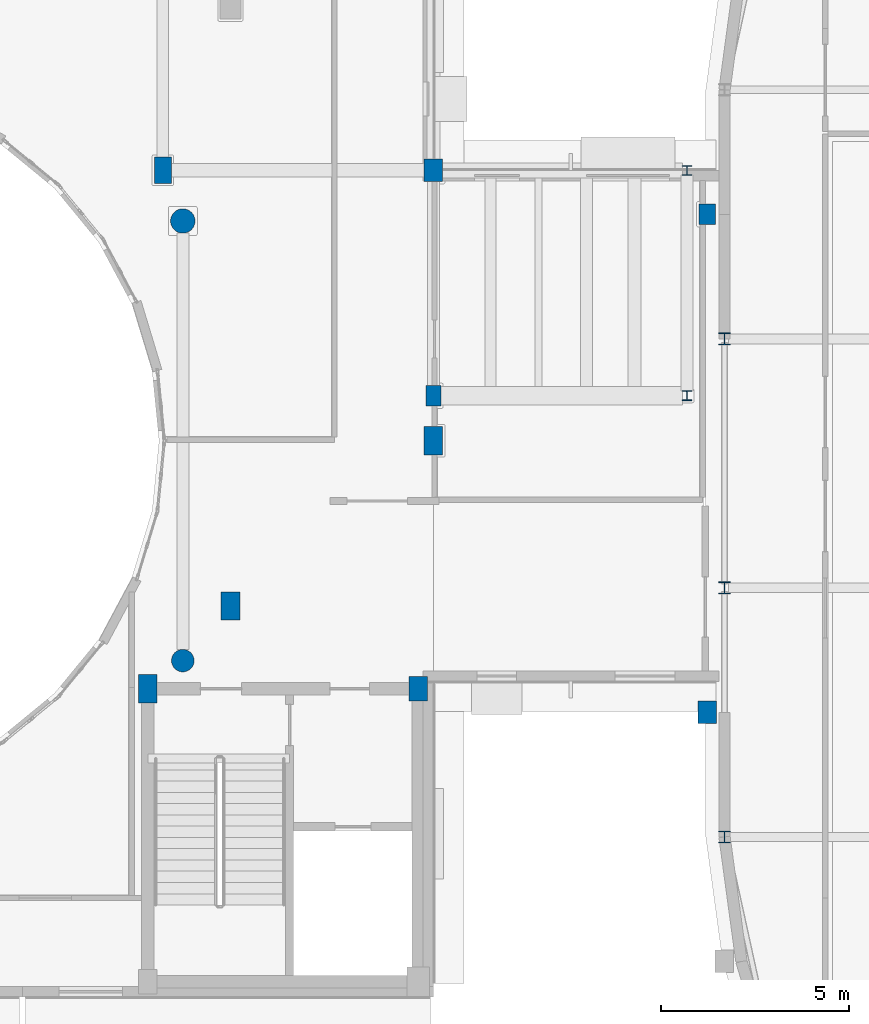
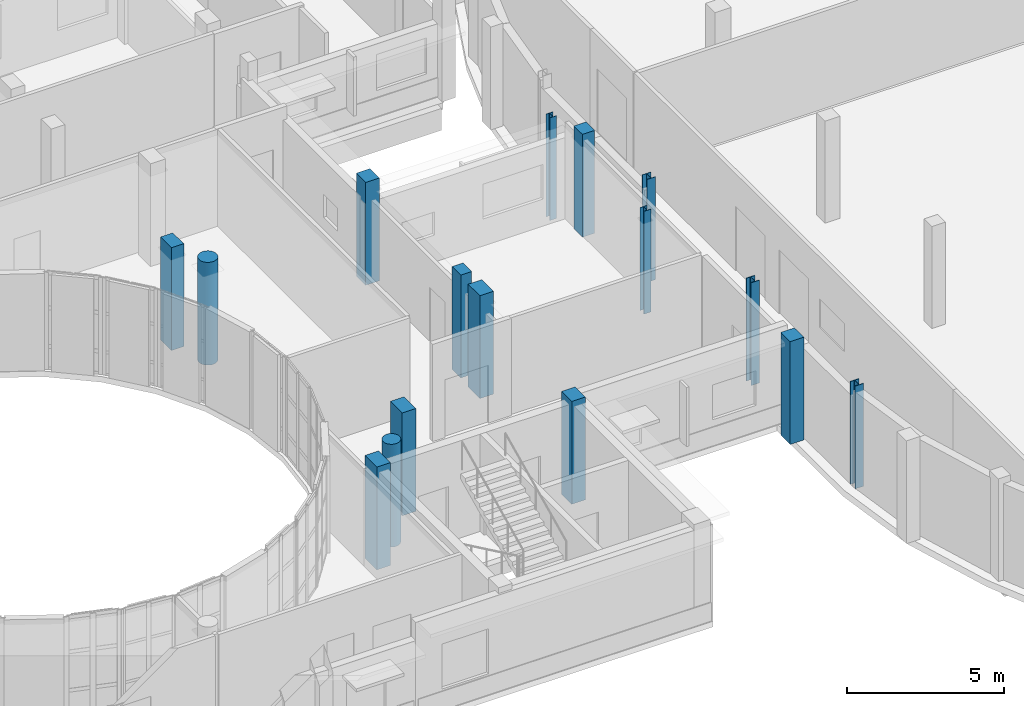
# One storey, part 8 of 105: 16 columns.
"""IFC4 building model written with IfcOpenShell, lengths in metres."""

from ifc_helpers import new_model, si_unit, direction, frame, origin, origin_2d, place, context, subcontext, project, spatial, rectangle, circle, i_section, extrude, material, material_profile, profile_set, type_object, element, save


model = new_model("IFC4")

# Units and contexts
model_context = context("Model", 3, precision=1e-05, world=origin(), true_north=direction((0.0, 1.0)))
body_context = subcontext(model_context, "Body", "Model", "MODEL_VIEW")
ifc_project = project(units=[si_unit("LENGTHUNIT", "METRE"), si_unit("AREAUNIT", "SQUARE_METRE"), si_unit("VOLUMEUNIT", "CUBIC_METRE"), si_unit("PLANEANGLEUNIT", "RADIAN"), si_unit("MASSUNIT", "GRAM", prefix="KILO")], contexts=[model_context])

# Site, building, storey
site_placement = place(None, origin())
site = spatial("IfcSite", under=ifc_project, at=site_placement, CompositionType="ELEMENT")
building_placement = place(site_placement, origin())
building = spatial("IfcBuilding", under=site, at=building_placement, Name="Kelanivale Promenade Academy", CompositionType="ELEMENT")
storey_placement = place(building_placement, frame((0.0, 0.0, 4.199951171875)))
storey = spatial("IfcBuildingStorey", under=building, at=storey_placement, Name="L01", CompositionType="ELEMENT", Elevation=4.199951171875)

# Columns
ifc_material_1 = material(Name="Concrete C40/50", Category="concrete")
ifc_material_profile_1 = material_profile(ifc_material_1, rectangle(XDim=0.39990234375, YDim=0.550048828125, at=origin_2d()), Name="RC-COL 400x550")
ifc_profile_set_1 = profile_set([ifc_material_profile_1], Name="Concrete C40/50")
column_type_1 = type_object("IfcColumnType", Name="C-07 RC-COL 400x550", PredefinedType="COLUMN", material=ifc_profile_set_1)
column_1_placement = place(storey_placement, frame((115.60009765625, 58.0, 0.0), z_axis=(0.0, 0.0, 1.0), x_axis=(1.0, 0.0, 0.0)))
element("IfcColumn", 1, at=column_1_placement, inside=storey, type_object=column_type_1, Name="Column C-07 at (115.6, 58.0) L01", PredefinedType="COLUMN", context=body_context, shape_type="SweptSolid", body=[
    extrude(rectangle(XDim=0.39990234375, YDim=0.550048828125, at=origin_2d()), origin(), (0.0, 0.0, 1.0), 4.0),
])
ifc_material_profile_2 = material_profile(ifc_material_1, rectangle(XDim=0.449951171875, YDim=0.699951171875, at=origin_2d()), Name="RC-COL 450x700")
ifc_profile_set_2 = profile_set([ifc_material_profile_2], Name="Concrete C40/50")
column_type_2 = type_object("IfcColumnType", Name="C-10 RC-COL 450x700", PredefinedType="COLUMN", material=ifc_profile_set_2)
column_2_placement = place(storey_placement, frame((108.39990234375, 64.0, 0.0), z_axis=(0.0, 0.0, 1.0), x_axis=(1.0, 0.0, 0.0)))
element("IfcColumn", 2, at=column_2_placement, inside=storey, type_object=column_type_2, Name="Column C-10 at (108.4, 64.0) L01", PredefinedType="COLUMN", context=body_context, shape_type="SweptSolid", body=[
    extrude(rectangle(XDim=0.449951171875, YDim=0.699951171875, at=origin_2d()), origin(), (0.0, 0.0, 1.0), 4.0),
])
ifc_material_profile_3 = material_profile(ifc_material_1, rectangle(XDim=0.5, YDim=0.64990234375, at=origin_2d()), Name="RC-COL 500x650")
ifc_profile_set_3 = profile_set([ifc_material_profile_3], Name="Concrete C40/50")
column_type_3 = type_object("IfcColumnType", Name="C-11 RC-COL 500x650", PredefinedType="COLUMN", material=ifc_profile_set_3)
column_3_placement = place(storey_placement, frame((115.199951171875, 50.199951171875, 0.0), z_axis=(0.0, 0.0, 1.0), x_axis=(1.0, 0.0, 0.0)))
element("IfcColumn", 3, at=column_3_placement, inside=storey, type_object=column_type_3, Name="Column C-11 at (115.2, 50.2) L01", PredefinedType="COLUMN", context=body_context, shape_type="SweptSolid", body=[
    extrude(rectangle(XDim=0.5, YDim=0.64990234375, at=origin_2d()), origin(), (0.0, 0.0, 1.0), 4.0),
])
ifc_material_profile_4 = material_profile(ifc_material_1, rectangle(XDim=0.5, YDim=0.75, at=origin_2d()), Name="RC-COL 500x750")
ifc_profile_set_4 = profile_set([ifc_material_profile_4], Name="Concrete C40/50")
column_type_4 = type_object("IfcColumnType", Name="C-12 RC-COL 500x750", PredefinedType="COLUMN", material=ifc_profile_set_4)
for number, where, z_axis, x_axis, name in (
    (4, (108.0, 50.199951171875, 0.0), (0.0, 0.0, 1.0), (1.0, 0.0, 0.0), "Column C-12 at (108.0, 50.2) L01"),
    (5, (110.199951171875, 52.39990234375, 0.0), (0.0, 0.0, 1.0), (1.0, 0.0, 0.0), "Column C-12 at (110.2, 52.4) L01"),
    (6, (115.60009765625, 56.800048828125, 0.0), (0.0, 0.0, 1.0), (1.0, 0.0, 0.0), "Column C-12 at (115.6, 56.8) L01"),
):
    element("IfcColumn", number, at=place(storey_placement, frame(where, z_axis=z_axis, x_axis=x_axis)), inside=storey, type_object=column_type_4, Name=name, PredefinedType="COLUMN", context=body_context, shape_type="SweptSolid", body=[
        extrude(rectangle(XDim=0.5, YDim=0.75, at=origin_2d()), origin(), (0.0, 0.0, 1.0), 4.0),
    ])
ifc_material_profile_5 = material_profile(ifc_material_1, circle(Radius=0.300048828125, at=origin_2d()), Name="RC-COL D600")
ifc_profile_set_5 = profile_set([ifc_material_profile_5], Name="Concrete C40/50")
column_type_5 = type_object("IfcColumnType", Name="CC-22 RC-COL D600", PredefinedType="COLUMN", material=ifc_profile_set_5)
column_4_placement = place(storey_placement, frame((108.931884765625, 50.949951171875, 0.0), z_axis=(0.0, 0.0, 1.0), x_axis=(1.0, 0.0, 0.0)))
element("IfcColumn", 7, at=column_4_placement, inside=storey, type_object=column_type_5, Name="Column CC-22 at (108.9, 51.0) L01", PredefinedType="COLUMN", context=body_context, shape_type="SweptSolid", body=[
    extrude(circle(Radius=0.300048828125, at=origin_2d()), origin(), (0.0, 0.0, 1.0), 4.0),
])
ifc_material_profile_6 = material_profile(ifc_material_1, circle(Radius=0.324951171875, at=origin_2d()), Name="RC-COL D650")
ifc_profile_set_6 = profile_set([ifc_material_profile_6], Name="Concrete C40/50")
column_type_6 = type_object("IfcColumnType", Name="CC-23 RC-COL D650", PredefinedType="COLUMN", material=ifc_profile_set_6)
column_5_placement = place(storey_placement, frame((108.931884765625, 62.64990234375, 0.0), z_axis=(0.0, 0.0, 1.0), x_axis=(1.0, 0.0, 0.0)))
element("IfcColumn", 8, at=column_5_placement, inside=storey, type_object=column_type_6, Name="Column CC-23 at (108.9, 62.6) L01", PredefinedType="COLUMN", context=body_context, shape_type="SweptSolid", body=[
    extrude(circle(Radius=0.324951171875, at=origin_2d()), origin(), (0.0, 0.0, 1.0), 4.0),
])
ifc_material_profile_7 = material_profile(ifc_material_1, rectangle(XDim=0.449951171875, YDim=0.550048828125, at=origin_2d()), Name="RC-PIL 450x550")
ifc_profile_set_7 = profile_set([ifc_material_profile_7], Name="Concrete C40/50")
column_type_7 = type_object("IfcColumnType", Name="PL-17 RC-PIL 450x550", PredefinedType="PILASTER", material=ifc_profile_set_7)
column_6_placement = place(storey_placement, frame((122.889892578125, 62.8291015625, 0.0), z_axis=(0.0, 0.0, 1.0), x_axis=(1.0, 0.0, 0.0)))
element("IfcColumn", 9, at=column_6_placement, inside=storey, type_object=column_type_7, Name="Column PL-17 at (122.9, 62.8) L01", PredefinedType="PILASTER", context=body_context, shape_type="SweptSolid", body=[
    extrude(rectangle(XDim=0.449951171875, YDim=0.550048828125, at=origin_2d()), origin(), (0.0, 0.0, 1.0), 4.0),
])
ifc_material_profile_8 = material_profile(ifc_material_1, rectangle(XDim=0.5, YDim=0.60009765625, at=origin_2d()), Name="RC-PIL 500x600")
ifc_profile_set_8 = profile_set([ifc_material_profile_8], Name="Concrete C40/50")
column_type_8 = type_object("IfcColumnType", Name="PL-18 RC-PIL 500x600", PredefinedType="PILASTER", material=ifc_profile_set_8)
for number, where, z_axis, x_axis, name in (
    (10, (115.60009765625, 64.0, 0.0), (0.0, 0.0, 1.0), (1.0, 0.0, 0.0), "Column PL-18 at (115.6, 64.0) L01"),
    (11, (122.889892578125, 49.571044921875, 0.0), (0.0, 0.0, 1.0), (1.0, 0.0, 0.0), "Column PL-18 at (122.9, 49.6) L01"),
):
    element("IfcColumn", number, at=place(storey_placement, frame(where, z_axis=z_axis, x_axis=x_axis)), inside=storey, type_object=column_type_8, Name=name, PredefinedType="PILASTER", context=body_context, shape_type="SweptSolid", body=[
        extrude(rectangle(XDim=0.5, YDim=0.60009765625, at=origin_2d()), origin(), (0.0, 0.0, 1.0), 4.0),
    ])
ifc_material_2 = material(Name="Steel S355", Category="steel")
ifc_material_profile_9 = material_profile(ifc_material_2, i_section(OverallWidth=0.254638671875, OverallDepth=0.254150390625, WebThickness=0.008544921875, FlangeThickness=0.01416015625, FilletRadius=0.0126953125, at=origin_2d()), Name="UC 254x254x73")
ifc_profile_set_9 = profile_set([ifc_material_profile_9], Name="Steel S355")
column_type_9 = type_object("IfcColumnType", Name="SC-02 UC 254x254x73", PredefinedType="COLUMN", material=ifc_profile_set_9)
for number, where, z_axis, x_axis, name in (
    (12, (122.35009765625, 58.0, 0.0), (0.0, 0.0, 1.0), (1.0, 0.0, 0.0), "Column SC-02 at (122.3, 58.0) L01"),
    (13, (122.35009765625, 64.0, 0.0), (0.0, 0.0, 1.0), (1.0, 0.0, 0.0), "Column SC-02 at (122.3, 64.0) L01"),
):
    element("IfcColumn", number, at=place(storey_placement, frame(where, z_axis=z_axis, x_axis=x_axis)), inside=storey, type_object=column_type_9, Name=name, PredefinedType="COLUMN", context=body_context, shape_type="SweptSolid", body=[
        extrude(i_section(OverallWidth=0.254638671875, OverallDepth=0.254150390625, WebThickness=0.008544921875, FlangeThickness=0.01416015625, FilletRadius=0.0126953125, at=origin_2d()), origin(), (0.0, 0.0, 1.0), 4.0),
    ])
ifc_material_profile_10 = material_profile(ifc_material_2, i_section(OverallWidth=0.307373046875, OverallDepth=0.314453125, WebThickness=0.011962890625, FlangeThickness=0.018798828125, FilletRadius=0.01513671875, at=origin_2d()), Name="UC 305x305x118")
ifc_profile_set_10 = profile_set([ifc_material_profile_10], Name="Steel S355")
column_type_10 = type_object("IfcColumnType", Name="SC-04 UC 305x305x118", PredefinedType="COLUMN", material=ifc_profile_set_10)
for number, where, z_axis, x_axis, name in (
    (14, (123.35009765625, 46.257080078125, 0.0), (0.0, 0.0, 1.0), (1.0, 0.0, 0.0), "Column SC-04 at (123.3, 46.3) L01"),
    (15, (123.35009765625, 52.885986328125, 0.0), (0.0, 0.0, 1.0), (1.0, 0.0, 0.0), "Column SC-04 at (123.3, 52.9) L01"),
    (16, (123.35009765625, 59.513916015625, 0.0), (0.0, 0.0, 1.0), (1.0, 0.0, 0.0), "Column SC-04 at (123.3, 59.5) L01"),
):
    element("IfcColumn", number, at=place(storey_placement, frame(where, z_axis=z_axis, x_axis=x_axis)), inside=storey, type_object=column_type_10, Name=name, PredefinedType="COLUMN", context=body_context, shape_type="SweptSolid", body=[
        extrude(i_section(OverallWidth=0.307373046875, OverallDepth=0.314453125, WebThickness=0.011962890625, FlangeThickness=0.018798828125, FilletRadius=0.01513671875, at=origin_2d()), origin(), (0.0, 0.0, 1.0), 4.0),
    ])

save(model, "model.ifc")
